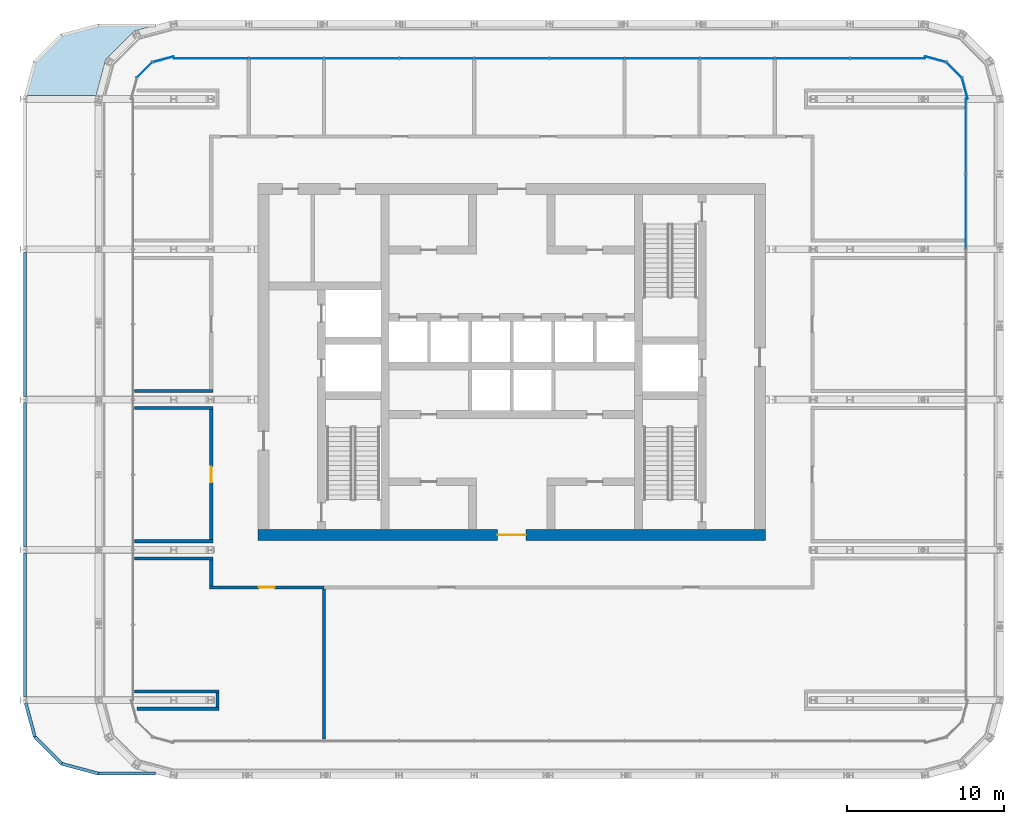
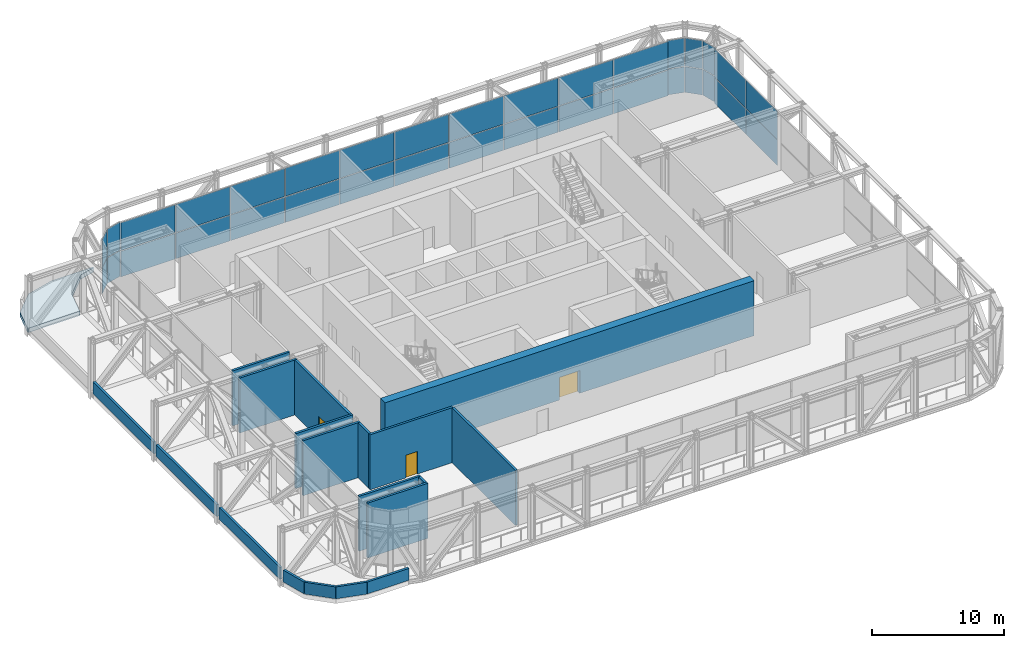
# One storey, part 19 of 30: 34 plates, 19 walls, 3 doors, 1 slab, 3 openings, 4 elements without a shape of their own.
"""IFC4 building model written with IfcOpenShell, lengths in metres."""

from ifc_helpers import new_model, si_unit, direction, frame, frame_2d, origin, origin_2d, place, context, subcontext, project, spatial, polyline, rectangle, outline, extrude, material, layer, layer_set, type_object, element, fill, aggregate, save


model = new_model("IFC4")

# Units and contexts
model_context = context("Model", 3, precision=1e-05, world=origin(), true_north=direction((0.0, 1.0)))
body_context = subcontext(model_context, "Body", "Model", "MODEL_VIEW")
ifc_project = project(units=[si_unit("LENGTHUNIT", "METRE"), si_unit("AREAUNIT", "SQUARE_METRE"), si_unit("VOLUMEUNIT", "CUBIC_METRE"), si_unit("PLANEANGLEUNIT", "RADIAN"), si_unit("MASSUNIT", "GRAM", prefix="KILO")], contexts=[model_context])

# Site, building, storey
site_placement = place(None, origin())
site = spatial("IfcSite", under=ifc_project, at=site_placement, CompositionType="ELEMENT")
building_placement = place(site_placement, origin())
building = spatial("IfcBuilding", under=site, at=building_placement, Name="Madar Terraces", CompositionType="ELEMENT")
storey_placement = place(building_placement, frame((0.0, 0.0, 173.5)))
storey = spatial("IfcBuildingStorey", under=building, at=storey_placement, Name="L45", CompositionType="ELEMENT", Elevation=173.5)

# Curtain wall, plates
ifc_material_1 = material(Name="Glass, ceramic frit dark grey, with black aluminium frame", Category="aluminium")
ifc_layer_1 = layer(ifc_material_1, 0.199951171875)
ifc_layer_set_1 = layer_set([ifc_layer_1], Name="Facade curtain wall, tall glazing")
curtain_wall_type = type_object("IfcCurtainWallType", Name="Facade curtain wall, tall glazing", PredefinedType="NOTDEFINED", material=ifc_layer_set_1)
curtain_wall_1_placement = place(storey_placement, origin())
curtain_wall_1 = element("IfcCurtainWall", 1, at=curtain_wall_1_placement, inside=storey, type_object=curtain_wall_type, Name="Outer skin curtain wall east bay 1", PredefinedType="NOTDEFINED")
ifc_material_2 = material(Name="Glass, ceramic frit dark grey", Category="glass")
ifc_layer_2 = layer(ifc_material_2, 0.028076171875)
ifc_layer_set_2 = layer_set([ifc_layer_2], Name="Facade glass panel 28")
plate_type = type_object("IfcPlateType", Name="Facade glass panel 28", PredefinedType="CURTAIN_PANEL", material=ifc_layer_set_2)
plate_1_placement = place(storey_placement, frame((60.199951171875, 36.0, 0.0), z_axis=(0.0, 0.0, 1.0), x_axis=(0.0, 1.0, 0.0)))
plate_1 = element("IfcPlate", 2, at=plate_1_placement, type_object=plate_type, Name="Panel 13", PredefinedType="CURTAIN_PANEL", context=body_context, shape_type="SweptSolid", body=[
    extrude(rectangle(XDim=4.739990234375, YDim=0.028076171875, at=origin_2d()), origin(), (0.0, 0.0, 1.0), 2.3701171875),
])
plate_2_placement = place(storey_placement, frame((60.199951171875, 36.0, 2.43017578125), z_axis=(0.0, 0.0, 1.0), x_axis=(0.0, 1.0, 0.0)))
plate_2 = element("IfcPlate", 3, at=plate_2_placement, type_object=plate_type, Name="Panel 14", PredefinedType="CURTAIN_PANEL", context=body_context, shape_type="SweptSolid", body=[
    extrude(rectangle(XDim=4.739990234375, YDim=0.028076171875, at=origin_2d()), origin(), (0.0, 0.0, 1.0), 2.610107421875),
])
plate_3_placement = place(storey_placement, frame((60.199951171875, 40.81494140625, 0.0), z_axis=(0.0, 0.0, 1.0), x_axis=(0.0, 1.0, 0.0)))
plate_3 = element("IfcPlate", 4, at=plate_3_placement, type_object=plate_type, Name="Panel 15", PredefinedType="CURTAIN_PANEL", context=body_context, shape_type="SweptSolid", body=[
    extrude(rectangle(XDim=4.77001953125, YDim=0.028076171875, at=origin_2d()), origin(), (0.0, 0.0, 1.0), 2.3701171875),
])
plate_4_placement = place(storey_placement, frame((60.199951171875, 40.81494140625, 2.43017578125), z_axis=(0.0, 0.0, 1.0), x_axis=(0.0, 1.0, 0.0)))
plate_4 = element("IfcPlate", 5, at=plate_4_placement, type_object=plate_type, Name="Panel 16", PredefinedType="CURTAIN_PANEL", context=body_context, shape_type="SweptSolid", body=[
    extrude(rectangle(XDim=4.77001953125, YDim=0.028076171875, at=origin_2d()), origin(), (0.0, 0.0, 1.0), 2.610107421875),
])
aggregate(curtain_wall_1, [plate_1, plate_2, plate_3, plate_4])

curtain_wall_2_placement = place(storey_placement, origin())
curtain_wall_2 = element("IfcCurtainWall", 6, at=curtain_wall_2_placement, inside=storey, type_object=curtain_wall_type, Name="Outer skin curtain wall north bay 1", PredefinedType="NOTDEFINED")
plate_5_placement = place(storey_placement, frame((55.215087890625, 45.800048828125, 0.0), z_axis=(0.0, 0.0, 1.0), x_axis=(-1.0, 0.0, 0.0)))
plate_5 = element("IfcPlate", 7, at=plate_5_placement, type_object=plate_type, Name="Panel 1", PredefinedType="CURTAIN_PANEL", context=body_context, shape_type="SweptSolid", body=[
    extrude(rectangle(XDim=4.77001953125, YDim=0.028076171875, at=origin_2d()), origin(), (0.0, 0.0, 1.0), 2.3701171875),
])
plate_6_placement = place(storey_placement, frame((55.215087890625, 45.800048828125, 2.43017578125), z_axis=(0.0, 0.0, 1.0), x_axis=(-1.0, 0.0, 0.0)))
plate_6 = element("IfcPlate", 8, at=plate_6_placement, type_object=plate_type, Name="Panel 2", PredefinedType="CURTAIN_PANEL", context=body_context, shape_type="SweptSolid", body=[
    extrude(rectangle(XDim=4.77001953125, YDim=0.028076171875, at=origin_2d()), origin(), (0.0, 0.0, 1.0), 2.610107421875),
])
plate_7_placement = place(storey_placement, frame((50.39990234375, 45.800048828125, 0.0), z_axis=(0.0, 0.0, 1.0), x_axis=(-1.0, 0.0, 0.0)))
plate_7 = element("IfcPlate", 9, at=plate_7_placement, type_object=plate_type, Name="Panel 3", PredefinedType="CURTAIN_PANEL", context=body_context, shape_type="SweptSolid", body=[
    extrude(rectangle(XDim=4.739990234375, YDim=0.028076171875, at=origin_2d()), origin(), (0.0, 0.0, 1.0), 2.3701171875),
])
plate_8_placement = place(storey_placement, frame((50.39990234375, 45.800048828125, 2.43017578125), z_axis=(0.0, 0.0, 1.0), x_axis=(-1.0, 0.0, 0.0)))
plate_8 = element("IfcPlate", 10, at=plate_8_placement, type_object=plate_type, Name="Panel 4", PredefinedType="CURTAIN_PANEL", context=body_context, shape_type="SweptSolid", body=[
    extrude(rectangle(XDim=4.739990234375, YDim=0.028076171875, at=origin_2d()), origin(), (0.0, 0.0, 1.0), 2.610107421875),
])
plate_9_placement = place(storey_placement, frame((45.60009765625, 45.800048828125, 0.0), z_axis=(0.0, 0.0, 1.0), x_axis=(-1.0, 0.0, 0.0)))
plate_9 = element("IfcPlate", 11, at=plate_9_placement, type_object=plate_type, Name="Panel 5", PredefinedType="CURTAIN_PANEL", context=body_context, shape_type="SweptSolid", body=[
    extrude(rectangle(XDim=4.739990234375, YDim=0.028076171875, at=origin_2d()), origin(), (0.0, 0.0, 1.0), 2.3701171875),
])
plate_10_placement = place(storey_placement, frame((45.60009765625, 45.800048828125, 2.43017578125), z_axis=(0.0, 0.0, 1.0), x_axis=(-1.0, 0.0, 0.0)))
plate_10 = element("IfcPlate", 12, at=plate_10_placement, type_object=plate_type, Name="Panel 6", PredefinedType="CURTAIN_PANEL", context=body_context, shape_type="SweptSolid", body=[
    extrude(rectangle(XDim=4.739990234375, YDim=0.028076171875, at=origin_2d()), origin(), (0.0, 0.0, 1.0), 2.610107421875),
])
plate_11_placement = place(storey_placement, frame((40.800048828125, 45.800048828125, 0.0), z_axis=(0.0, 0.0, 1.0), x_axis=(-1.0, 0.0, 0.0)))
plate_11 = element("IfcPlate", 13, at=plate_11_placement, type_object=plate_type, Name="Panel 7", PredefinedType="CURTAIN_PANEL", context=body_context, shape_type="SweptSolid", body=[
    extrude(rectangle(XDim=4.739990234375, YDim=0.028076171875, at=origin_2d()), origin(), (0.0, 0.0, 1.0), 2.3701171875),
])
plate_12_placement = place(storey_placement, frame((40.800048828125, 45.800048828125, 2.43017578125), z_axis=(0.0, 0.0, 1.0), x_axis=(-1.0, 0.0, 0.0)))
plate_12 = element("IfcPlate", 14, at=plate_12_placement, type_object=plate_type, Name="Panel 8", PredefinedType="CURTAIN_PANEL", context=body_context, shape_type="SweptSolid", body=[
    extrude(rectangle(XDim=4.739990234375, YDim=0.028076171875, at=origin_2d()), origin(), (0.0, 0.0, 1.0), 2.610107421875),
])
plate_13_placement = place(storey_placement, frame((36.0, 45.800048828125, 0.0), z_axis=(0.0, 0.0, 1.0), x_axis=(-1.0, 0.0, 0.0)))
plate_13 = element("IfcPlate", 15, at=plate_13_placement, type_object=plate_type, Name="Panel 9", PredefinedType="CURTAIN_PANEL", context=body_context, shape_type="SweptSolid", body=[
    extrude(rectangle(XDim=4.739990234375, YDim=0.028076171875, at=origin_2d()), origin(), (0.0, 0.0, 1.0), 2.3701171875),
])
plate_14_placement = place(storey_placement, frame((36.0, 45.800048828125, 2.43017578125), z_axis=(0.0, 0.0, 1.0), x_axis=(-1.0, 0.0, 0.0)))
plate_14 = element("IfcPlate", 16, at=plate_14_placement, type_object=plate_type, Name="Panel 10", PredefinedType="CURTAIN_PANEL", context=body_context, shape_type="SweptSolid", body=[
    extrude(rectangle(XDim=4.739990234375, YDim=0.028076171875, at=origin_2d()), origin(), (0.0, 0.0, 1.0), 2.610107421875),
])
plate_15_placement = place(storey_placement, frame((31.199951171875, 45.800048828125, 0.0), z_axis=(0.0, 0.0, 1.0), x_axis=(-1.0, 0.0, 0.0)))
plate_15 = element("IfcPlate", 17, at=plate_15_placement, type_object=plate_type, Name="Panel 11", PredefinedType="CURTAIN_PANEL", context=body_context, shape_type="SweptSolid", body=[
    extrude(rectangle(XDim=4.739990234375, YDim=0.028076171875, at=origin_2d()), origin(), (0.0, 0.0, 1.0), 2.3701171875),
])
plate_16_placement = place(storey_placement, frame((31.199951171875, 45.800048828125, 2.43017578125), z_axis=(0.0, 0.0, 1.0), x_axis=(-1.0, 0.0, 0.0)))
plate_16 = element("IfcPlate", 18, at=plate_16_placement, type_object=plate_type, Name="Panel 12", PredefinedType="CURTAIN_PANEL", context=body_context, shape_type="SweptSolid", body=[
    extrude(rectangle(XDim=4.739990234375, YDim=0.028076171875, at=origin_2d()), origin(), (0.0, 0.0, 1.0), 2.610107421875),
])
plate_17_placement = place(storey_placement, frame((26.39990234375, 45.800048828125, 0.0), z_axis=(0.0, 0.0, 1.0), x_axis=(-1.0, 0.0, 0.0)))
plate_17 = element("IfcPlate", 19, at=plate_17_placement, type_object=plate_type, Name="Panel 13", PredefinedType="CURTAIN_PANEL", context=body_context, shape_type="SweptSolid", body=[
    extrude(rectangle(XDim=4.739990234375, YDim=0.028076171875, at=origin_2d()), origin(), (0.0, 0.0, 1.0), 2.3701171875),
])
plate_18_placement = place(storey_placement, frame((26.39990234375, 45.800048828125, 2.43017578125), z_axis=(0.0, 0.0, 1.0), x_axis=(-1.0, 0.0, 0.0)))
plate_18 = element("IfcPlate", 20, at=plate_18_placement, type_object=plate_type, Name="Panel 14", PredefinedType="CURTAIN_PANEL", context=body_context, shape_type="SweptSolid", body=[
    extrude(rectangle(XDim=4.739990234375, YDim=0.028076171875, at=origin_2d()), origin(), (0.0, 0.0, 1.0), 2.610107421875),
])
plate_19_placement = place(storey_placement, frame((21.60009765625, 45.800048828125, 0.0), z_axis=(0.0, 0.0, 1.0), x_axis=(-1.0, 0.0, 0.0)))
plate_19 = element("IfcPlate", 21, at=plate_19_placement, type_object=plate_type, Name="Panel 15", PredefinedType="CURTAIN_PANEL", context=body_context, shape_type="SweptSolid", body=[
    extrude(rectangle(XDim=4.739990234375, YDim=0.028076171875, at=origin_2d()), origin(), (0.0, 0.0, 1.0), 2.3701171875),
])
plate_20_placement = place(storey_placement, frame((21.60009765625, 45.800048828125, 2.43017578125), z_axis=(0.0, 0.0, 1.0), x_axis=(-1.0, 0.0, 0.0)))
plate_20 = element("IfcPlate", 22, at=plate_20_placement, type_object=plate_type, Name="Panel 16", PredefinedType="CURTAIN_PANEL", context=body_context, shape_type="SweptSolid", body=[
    extrude(rectangle(XDim=4.739990234375, YDim=0.028076171875, at=origin_2d()), origin(), (0.0, 0.0, 1.0), 2.610107421875),
])
plate_21_placement = place(storey_placement, frame((16.800048828125, 45.800048828125, 0.0), z_axis=(0.0, 0.0, 1.0), x_axis=(-1.0, 0.0, 0.0)))
plate_21 = element("IfcPlate", 23, at=plate_21_placement, type_object=plate_type, Name="Panel 17", PredefinedType="CURTAIN_PANEL", context=body_context, shape_type="SweptSolid", body=[
    extrude(rectangle(XDim=4.739990234375, YDim=0.028076171875, at=origin_2d()), origin(), (0.0, 0.0, 1.0), 2.3701171875),
])
plate_22_placement = place(storey_placement, frame((16.800048828125, 45.800048828125, 2.43017578125), z_axis=(0.0, 0.0, 1.0), x_axis=(-1.0, 0.0, 0.0)))
plate_22 = element("IfcPlate", 24, at=plate_22_placement, type_object=plate_type, Name="Panel 18", PredefinedType="CURTAIN_PANEL", context=body_context, shape_type="SweptSolid", body=[
    extrude(rectangle(XDim=4.739990234375, YDim=0.028076171875, at=origin_2d()), origin(), (0.0, 0.0, 1.0), 2.610107421875),
])
plate_23_placement = place(storey_placement, frame((11.985107421875, 45.800048828125, 0.0), z_axis=(0.0, 0.0, 1.0), x_axis=(-1.0, 0.0, 0.0)))
plate_23 = element("IfcPlate", 25, at=plate_23_placement, type_object=plate_type, Name="Panel 19", PredefinedType="CURTAIN_PANEL", context=body_context, shape_type="SweptSolid", body=[
    extrude(rectangle(XDim=4.77001953125, YDim=0.028076171875, at=origin_2d()), origin(), (0.0, 0.0, 1.0), 2.3701171875),
])
plate_24_placement = place(storey_placement, frame((11.985107421875, 45.800048828125, 2.43017578125), z_axis=(0.0, 0.0, 1.0), x_axis=(-1.0, 0.0, 0.0)))
plate_24 = element("IfcPlate", 26, at=plate_24_placement, type_object=plate_type, Name="Panel 20", PredefinedType="CURTAIN_PANEL", context=body_context, shape_type="SweptSolid", body=[
    extrude(rectangle(XDim=4.77001953125, YDim=0.028076171875, at=origin_2d()), origin(), (0.0, 0.0, 1.0), 2.610107421875),
])
aggregate(curtain_wall_2, [plate_5, plate_6, plate_7, plate_8, plate_9, plate_10, plate_11, plate_12, plate_13, plate_14, plate_15, plate_16, plate_17, plate_18, plate_19, plate_20, plate_21, plate_22, plate_23, plate_24])

curtain_wall_3_placement = place(storey_placement, origin())
curtain_wall_3 = element("IfcCurtainWall", 27, at=curtain_wall_3_placement, inside=storey, type_object=curtain_wall_type, Name="Outer skin curtain wall north-east corner", PredefinedType="NOTDEFINED")
plate_25_placement = place(storey_placement, frame((60.1416015625, 43.865478515625, 0.0), z_axis=(0.0, 0.0, 1.0), x_axis=(-0.258819110244, 0.965925808834, 0.0)))
plate_25 = element("IfcPlate", 28, at=plate_25_placement, type_object=plate_type, Name="Panel 1", PredefinedType="CURTAIN_PANEL", context=body_context, shape_type="SweptSolid", body=[
    extrude(rectangle(XDim=1.3779296875, YDim=0.028076171875, at=origin_2d()), origin(), (0.0, 0.0, 1.0), 2.3701171875),
])
plate_26_placement = place(storey_placement, frame((60.1416015625, 43.865478515625, 2.43017578125), z_axis=(0.0, 0.0, 1.0), x_axis=(-0.258819110244, 0.965925808834, 0.0)))
plate_26 = element("IfcPlate", 29, at=plate_26_placement, type_object=plate_type, Name="Panel 2", PredefinedType="CURTAIN_PANEL", context=body_context, shape_type="SweptSolid", body=[
    extrude(rectangle(XDim=1.3779296875, YDim=0.028076171875, at=origin_2d()), origin(), (0.0, 0.0, 1.0), 2.610107421875),
])
plate_27_placement = place(storey_placement, frame((59.457763671875, 45.057861328125, 0.0), z_axis=(0.0, 0.0, 1.0), x_axis=(-0.707106781187, 0.707106781187, 0.0)))
plate_27 = element("IfcPlate", 30, at=plate_27_placement, type_object=plate_type, Name="Panel 3", PredefinedType="CURTAIN_PANEL", context=body_context, shape_type="SweptSolid", body=[
    extrude(rectangle(XDim=1.347900390625, YDim=0.028076171875, at=origin_2d()), origin(), (0.0, 0.0, 1.0), 2.3701171875),
])
plate_28_placement = place(storey_placement, frame((59.457763671875, 45.057861328125, 2.43017578125), z_axis=(0.0, 0.0, 1.0), x_axis=(-0.707106781187, 0.707106781187, 0.0)))
plate_28 = element("IfcPlate", 31, at=plate_28_placement, type_object=plate_type, Name="Panel 4", PredefinedType="CURTAIN_PANEL", context=body_context, shape_type="SweptSolid", body=[
    extrude(rectangle(XDim=1.347900390625, YDim=0.028076171875, at=origin_2d()), origin(), (0.0, 0.0, 1.0), 2.610107421875),
])
plate_29_placement = place(storey_placement, frame((58.265625, 45.74169921875, 0.0), z_axis=(0.0, 0.0, 1.0), x_axis=(-0.965925808834, 0.258819110244, 0.0)))
plate_29 = element("IfcPlate", 32, at=plate_29_placement, type_object=plate_type, Name="Panel 5", PredefinedType="CURTAIN_PANEL", context=body_context, shape_type="SweptSolid", body=[
    extrude(rectangle(XDim=1.3779296875, YDim=0.028076171875, at=origin_2d()), origin(), (0.0, 0.0, 1.0), 2.3701171875),
])
plate_30_placement = place(storey_placement, frame((58.265625, 45.74169921875, 2.43017578125), z_axis=(0.0, 0.0, 1.0), x_axis=(-0.965925808834, 0.258819110244, 0.0)))
plate_30 = element("IfcPlate", 33, at=plate_30_placement, type_object=plate_type, Name="Panel 6", PredefinedType="CURTAIN_PANEL", context=body_context, shape_type="SweptSolid", body=[
    extrude(rectangle(XDim=1.3779296875, YDim=0.028076171875, at=origin_2d()), origin(), (0.0, 0.0, 1.0), 2.610107421875),
])
aggregate(curtain_wall_3, [plate_25, plate_26, plate_27, plate_28, plate_29, plate_30])

curtain_wall_4_placement = place(storey_placement, origin())
curtain_wall_4 = element("IfcCurtainWall", 34, at=curtain_wall_4_placement, inside=storey, type_object=curtain_wall_type, Name="Outer skin curtain wall north-west corner", PredefinedType="NOTDEFINED")
plate_31_placement = place(storey_placement, frame((8.9345703125, 45.74169921875, 0.0), z_axis=(0.0, 0.0, 1.0), x_axis=(-0.965925808834, -0.258819110244, 0.0)))
plate_31 = element("IfcPlate", 35, at=plate_31_placement, type_object=plate_type, Name="Panel 1", PredefinedType="CURTAIN_PANEL", context=body_context, shape_type="SweptSolid", body=[
    extrude(rectangle(XDim=1.3779296875, YDim=0.028076171875, at=origin_2d()), origin(), (0.0, 0.0, 1.0), 2.3701171875),
])
plate_32_placement = place(storey_placement, frame((8.9345703125, 45.74169921875, 2.43017578125), z_axis=(0.0, 0.0, 1.0), x_axis=(-0.965925808834, -0.258819110244, 0.0)))
plate_32 = element("IfcPlate", 36, at=plate_32_placement, type_object=plate_type, Name="Panel 2", PredefinedType="CURTAIN_PANEL", context=body_context, shape_type="SweptSolid", body=[
    extrude(rectangle(XDim=1.3779296875, YDim=0.028076171875, at=origin_2d()), origin(), (0.0, 0.0, 1.0), 2.610107421875),
])
plate_33_placement = place(storey_placement, frame((7.7421875, 45.057861328125, 0.0), z_axis=(0.0, 0.0, 1.0), x_axis=(-0.707106781187, -0.707106781187, 0.0)))
plate_33 = element("IfcPlate", 37, at=plate_33_placement, type_object=plate_type, Name="Panel 3", PredefinedType="CURTAIN_PANEL", context=body_context, shape_type="SweptSolid", body=[
    extrude(rectangle(XDim=1.347900390625, YDim=0.028076171875, at=origin_2d()), origin(), (0.0, 0.0, 1.0), 2.3701171875),
])
plate_34_placement = place(storey_placement, frame((7.7421875, 45.057861328125, 2.43017578125), z_axis=(0.0, 0.0, 1.0), x_axis=(-0.707106781187, -0.707106781187, 0.0)))
plate_34 = element("IfcPlate", 38, at=plate_34_placement, type_object=plate_type, Name="Panel 4", PredefinedType="CURTAIN_PANEL", context=body_context, shape_type="SweptSolid", body=[
    extrude(rectangle(XDim=1.347900390625, YDim=0.028076171875, at=origin_2d()), origin(), (0.0, 0.0, 1.0), 2.610107421875),
])
aggregate(curtain_wall_4, [plate_31, plate_32, plate_33, plate_34])

# Slab
ifc_material_3 = material(Name="Concrete C50/60", Category="concrete")
ifc_layer_3 = layer(ifc_material_3, 0.39990234375)
ifc_layer_set_3 = layer_set([ifc_layer_3], Name="TS1 PT terrace slab 400")
slab_type = type_object("IfcSlabType", Name="TS1 PT terrace slab 400", PredefinedType="FLOOR", material=ifc_layer_set_3)
slab_placement = place(storey_placement, frame((0.0, 0.0, -0.39990234375)))
element("IfcSlab", 39, at=slab_placement, inside=storey, type_object=slab_type, Name="Terrace roof slab L45 (6)", PredefinedType="FLOOR", context=body_context, shape_type="SweptSolid", body=[
    extrude(outline(polyline([(0.643310546875, 45.596923828125), (0.64111328125, 45.592041015625), (0.6396484375, 45.587158203125), (0.0732421875, 43.473876953125), (0.072265625, 43.468994140625), (0.07177734375, 43.46435546875), (0.07177734375, 43.45947265625), (0.072021484375, 43.45458984375), (0.07275390625, 43.449951171875), (0.07421875, 43.4453125), (0.075927734375, 43.440673828125), (0.078125, 43.4365234375), (0.08056640625, 43.432373046875), (0.08349609375, 43.428466796875), (0.086669921875, 43.425048828125), (0.09033203125, 43.421875), (0.09423828125, 43.4189453125), (0.098388671875, 43.41650390625), (0.102783203125, 43.41455078125), (0.107421875, 43.412841796875), (0.112060546875, 43.411865234375), (0.116943359375, 43.4111328125), (0.12158203125, 43.410888671875), (4.599853515625, 43.410888671875), (4.60498046875, 43.4111328125), (4.60986328125, 43.411865234375), (4.61474609375, 43.4130859375), (4.619384765625, 43.414794921875), (4.6240234375, 43.4169921875), (4.628173828125, 43.419677734375), (4.63232421875, 43.4228515625), (4.635986328125, 43.42626953125), (4.63916015625, 43.429931640625), (4.64208984375, 43.43408203125), (4.64453125, 43.4384765625), (4.646728515625, 43.443115234375), (4.648193359375, 43.447998046875), (5.253662109375, 45.707763671875), (5.254150390625, 45.708984375), (5.2548828125, 45.7099609375), (7.08984375, 47.544921875), (7.0908203125, 47.5458984375), (7.092041015625, 47.54638671875), (8.418701171875, 47.901611328125), (8.42333984375, 47.9033203125), (8.427978515625, 47.9052734375), (8.43212890625, 47.90771484375), (8.436279296875, 47.910400390625), (8.43994140625, 47.913818359375), (8.443359375, 47.917236328125), (8.446533203125, 47.921142578125), (8.44921875, 47.92529296875), (8.451416015625, 47.929931640625), (8.453125, 47.9345703125), (8.45458984375, 47.939208984375), (8.455322265625, 47.944091796875), (8.45556640625, 47.94921875), (8.45556640625, 47.9541015625), (8.454833984375, 47.958984375), (8.45361328125, 47.9638671875), (8.4521484375, 47.968505859375), (8.449951171875, 47.972900390625), (8.447509765625, 47.977294921875), (8.444580078125, 47.9814453125), (8.44140625, 47.985107421875), (8.437744140625, 47.98828125), (8.433837890625, 47.991455078125), (8.429443359375, 47.993896484375), (8.425048828125, 47.99609375), (8.42041015625, 47.997802734375), (8.41552734375, 47.9990234375), (8.41064453125, 47.999755859375), (8.40576171875, 48.0), (4.806640625, 48.0), (4.80224609375, 47.999755859375), (4.7978515625, 47.999267578125), (4.793701171875, 47.998291015625), (2.412841796875, 47.3603515625), (2.407958984375, 47.35888671875), (2.403076171875, 47.356689453125), (2.398681640625, 47.35400390625), (2.39453125, 47.350830078125), (2.390625, 47.347412109375), (0.652587890625, 45.609375), (0.649169921875, 45.60546875), (0.64599609375, 45.601318359375), (0.643310546875, 45.596923828125)])), origin(), (0.0, 0.0, 1.0), 0.39990234375),
])

# Wall, opening, door
ifc_material_4 = material(Name="Concrete C60/75", Category="concrete")
ifc_layer_4 = layer(ifc_material_4, 0.699951171875)
ifc_layer_set_4 = layer_set([ifc_layer_4], Name="Concrete C60/75 (CRW4 RC wall 700)")
wall_type_1 = type_object("IfcWallType", Name="CRW4 RC wall 700", PredefinedType="SHEAR", material=ifc_layer_set_4)
wall_1_placement = place(storey_placement, frame((15.0, 15.35009765625, 0.0), z_axis=(0.0, 0.0, 1.0), x_axis=(1.0, 0.0, 0.0)))
wall_1 = element("IfcWall", 40, at=wall_1_placement, inside=storey, type_object=wall_type_1, Name="CORE OUTER WALL", PredefinedType="SHEAR", context=body_context, shape_type="SweptSolid", body=[
    extrude(rectangle(XDim=32.39990234375, YDim=0.699951171875, at=frame_2d((16.199951171875, 0.0))), origin(), (0.0, 0.0, 1.0), 5.10009765625),
])
opening_1_placement = place(wall_1_placement, frame((15.300048828125, 0.0, 0.0)))
opening_1 = element("IfcOpeningElement", 41, at=opening_1_placement, cuts=wall_1, Name="Opening KD1", PredefinedType="OPENING", context=body_context, shape_type="SweptSolid", body=[
    extrude(rectangle(XDim=1.800048828125, YDim=2.10009765625, at=frame_2d((0.89990234375, 1.050048828125))), frame((0.0, 0.35986328125, 0.0), z_axis=(0.0, -1.0, 0.0), x_axis=(1.0, 0.0, 0.0)), (0.0, 0.0, 1.0), 0.719970703125),
])
ifc_material_5 = material(Name="Steel door leaf", Category="steel")
door_type_1 = type_object("IfcDoorType", Name="Lobby door pair 1800 x 2100", OperationType="DOUBLE_DOOR_SINGLE_SWING", PredefinedType="DOOR", material=ifc_material_5)
door_1_placement = place(opening_1_placement, frame((1.800048828125, 0.0, 0.0), z_axis=(0.0, 0.0, 1.0), x_axis=(-1.0, 0.0, 0.0)))
door_1 = element("IfcDoor", 42, at=door_1_placement, inside=storey, type_object=door_type_1, Name="LIFT LOBBY DOOR", OperationType="DOUBLE_DOOR_SINGLE_SWING", OverallHeight=2.10009765625, OverallWidth=1.800048828125, PredefinedType="DOOR", context=body_context, shape_type="SweptSolid", body=[
    extrude(rectangle(XDim=1.800048828125, YDim=2.10009765625, at=frame_2d((0.89990234375, 1.050048828125))), frame((0.0, 0.02490234375, 0.0), z_axis=(0.0, -1.0, 0.0), x_axis=(1.0, 0.0, 0.0)), (0.0, 0.0, 1.0), 0.050048828125),
])
fill(opening_1, door_1)

# Walls
ifc_material_6 = material(Name="Blockwork", Category="masonry")
ifc_layer_5 = layer(ifc_material_6, 0.199951171875)
ifc_layer_set_5 = layer_set([ifc_layer_5], Name="Partition 200 EI 120")
wall_type_2 = type_object("IfcWallType", Name="Partition 200 EI 120", PredefinedType="PARTITIONING", material=ifc_layer_set_5)
wall_2_placement = place(storey_placement, frame((7.25, 4.25, 0.0), z_axis=(0.0, 0.0, 1.0), x_axis=(1.0, 0.0, 0.0)))
element("IfcWall", 43, at=wall_2_placement, inside=storey, type_object=wall_type_2, Name="Wall ELECTRICAL SWITCH ROOM / TRUSS SLOT", PredefinedType="PARTITIONING", context=body_context, shape_type="SweptSolid", body=[
    extrude(rectangle(XDim=5.25, YDim=0.199951171875, at=frame_2d((2.625, 0.0))), origin(), (0.0, 0.0, 1.0), 5.10009765625),
])
wall_3_placement = place(storey_placement, frame((7.10009765625, 5.35009765625, 0.0), z_axis=(0.0, 0.0, 1.0), x_axis=(1.0, 0.0, 0.0)))
element("IfcWall", 44, at=wall_3_placement, inside=storey, type_object=wall_type_2, Name="Wall ELECTRICAL SWITCH ROOM / TRUSS SLOT", PredefinedType="PARTITIONING", context=body_context, shape_type="SweptSolid", body=[
    extrude(rectangle(XDim=5.39990234375, YDim=0.199951171875, at=frame_2d((2.699951171875, 0.0))), origin(), (0.0, 0.0, 1.0), 5.10009765625),
])

# Wall, opening, door
wall_4_placement = place(storey_placement, frame((19.199951171875, 12.0, 0.0), z_axis=(0.0, 0.0, 1.0), x_axis=(-1.0, 0.0, 0.0)))
wall_4 = element("IfcWall", 45, at=wall_4_placement, inside=storey, type_object=wall_type_2, Name="Wall ELECTRICAL SWITCH ROOM / RING CORRIDOR", PredefinedType="PARTITIONING", context=body_context, shape_type="SweptSolid", body=[
    extrude(rectangle(XDim=7.300048828125, YDim=0.199951171875, at=frame_2d((3.64990234375, 0.0))), origin(), (0.0, 0.0, 1.0), 5.10009765625),
])
opening_2_placement = place(wall_4_placement, frame((3.14990234375, 0.0, 0.0)))
opening_2 = element("IfcOpeningElement", 46, at=opening_2_placement, cuts=wall_4, Name="Opening D33", PredefinedType="OPENING", context=body_context, shape_type="SweptSolid", body=[
    extrude(rectangle(XDim=1.0, YDim=2.10009765625, at=frame_2d((0.5, 1.050048828125))), frame((0.0, 0.10986328125, 0.0), z_axis=(0.0, -1.0, 0.0), x_axis=(1.0, 0.0, 0.0)), (0.0, 0.0, 1.0), 0.219970703125),
])
ifc_material_7 = material(Name="Timber door leaf, fire-rated", Category="wood")
door_type_2 = type_object("IfcDoorType", Name="Podium door 1000 x 2100 FD90S", OperationType="NOTDEFINED", PredefinedType="DOOR", material=ifc_material_7)
door_2_placement = place(opening_2_placement, origin())
door_2 = element("IfcDoor", 47, at=door_2_placement, inside=storey, type_object=door_type_2, Name="Door ELECTRICAL SWITCH ROOM / RING CORRIDOR", OperationType="SINGLE_SWING_RIGHT", OverallHeight=2.10009765625, OverallWidth=1.0, PredefinedType="DOOR", context=body_context, shape_type="SweptSolid", body=[
    extrude(rectangle(XDim=1.0, YDim=2.10009765625, at=frame_2d((0.5, 1.050048828125))), frame((0.0, 0.02490234375, 0.0), z_axis=(0.0, -1.0, 0.0), x_axis=(1.0, 0.0, 0.0)), (0.0, 0.0, 1.0), 0.050048828125),
])
fill(opening_2, door_2)

# Walls
for number, where, z_axis, x_axis, name in (
    (48, (7.10009765625, 13.85009765625, 0.0), (0.0, 0.0, 1.0), (1.0, 0.0, 0.0), "Wall ELECTRICAL SWITCH ROOM / TRUSS SLOT"),
    (49, (7.10009765625, 14.949951171875, 0.0), (0.0, 0.0, 1.0), (1.0, 0.0, 0.0), "Wall SPRINKLER TANK ROOM / TRUSS SLOT"),
    (50, (7.10009765625, 23.449951171875, 0.0), (0.0, 0.0, 1.0), (1.0, 0.0, 0.0), "Wall SPRINKLER TANK ROOM / TRUSS SLOT"),
    (51, (7.10009765625, 24.550048828125, 0.0), (0.0, 0.0, 1.0), (1.0, 0.0, 0.0), "Wall CHILLER PLANT ROOM / TRUSS SLOT"),
):
    element("IfcWall", number, at=place(storey_placement, frame(where, z_axis=z_axis, x_axis=x_axis)), inside=storey, type_object=wall_type_2, Name=name, PredefinedType="PARTITIONING", context=body_context, shape_type="SweptSolid", body=[
        extrude(rectangle(XDim=5.0, YDim=0.199951171875, at=frame_2d((2.5, 0.0))), origin(), (0.0, 0.0, 1.0), 5.10009765625),
    ])
wall_5_placement = place(storey_placement, frame((12.0, 12.10009765625, 0.0), z_axis=(0.0, 0.0, 1.0), x_axis=(0.0, 1.0, 0.0)))
element("IfcWall", 52, at=wall_5_placement, inside=storey, type_object=wall_type_2, Name="Wall ELECTRICAL SWITCH ROOM / RING CORRIDOR", PredefinedType="PARTITIONING", context=body_context, shape_type="SweptSolid", body=[
    extrude(rectangle(XDim=1.64990234375, YDim=0.199951171875, at=frame_2d((0.824951171875, 0.0))), origin(), (0.0, 0.0, 1.0), 5.10009765625),
])

# Wall, opening, door
wall_6_placement = place(storey_placement, frame((12.0, 15.050048828125, 0.0), z_axis=(0.0, 0.0, 1.0), x_axis=(0.0, 1.0, 0.0)))
wall_6 = element("IfcWall", 53, at=wall_6_placement, inside=storey, type_object=wall_type_2, Name="Wall SPRINKLER TANK ROOM / RING CORRIDOR", PredefinedType="PARTITIONING", context=body_context, shape_type="SweptSolid", body=[
    extrude(rectangle(XDim=8.300048828125, YDim=0.199951171875, at=frame_2d((4.14990234375, 0.0))), origin(), (0.0, 0.0, 1.0), 5.10009765625),
])
opening_3_placement = place(wall_6_placement, frame((3.64990234375, 0.0, 0.0)))
opening_3 = element("IfcOpeningElement", 54, at=opening_3_placement, cuts=wall_6, Name="Opening D33", PredefinedType="OPENING", context=body_context, shape_type="SweptSolid", body=[
    extrude(rectangle(XDim=1.0, YDim=2.10009765625, at=frame_2d((0.5, 1.050048828125))), frame((0.0, 0.10986328125, 0.0), z_axis=(0.0, -1.0, 0.0), x_axis=(1.0, 0.0, 0.0)), (0.0, 0.0, 1.0), 0.219970703125),
])
door_3_placement = place(opening_3_placement, origin())
door_3 = element("IfcDoor", 55, at=door_3_placement, inside=storey, type_object=door_type_2, Name="Door SPRINKLER TANK ROOM / RING CORRIDOR", OperationType="SINGLE_SWING_LEFT", OverallHeight=2.10009765625, OverallWidth=1.0, PredefinedType="DOOR", context=body_context, shape_type="SweptSolid", body=[
    extrude(rectangle(XDim=1.0, YDim=2.10009765625, at=frame_2d((0.5, 1.050048828125))), frame((0.0, 0.02490234375, 0.0), z_axis=(0.0, -1.0, 0.0), x_axis=(1.0, 0.0, 0.0)), (0.0, 0.0, 1.0), 0.050048828125),
])
fill(opening_3, door_3)

# Walls
wall_7_placement = place(storey_placement, frame((12.39990234375, 4.35009765625, 0.0), z_axis=(0.0, 0.0, 1.0), x_axis=(0.0, 1.0, 0.0)))
element("IfcWall", 56, at=wall_7_placement, inside=storey, type_object=wall_type_2, Name="Wall ELECTRICAL SWITCH ROOM / TRUSS SLOT", PredefinedType="PARTITIONING", context=body_context, shape_type="SweptSolid", body=[
    extrude(rectangle(XDim=0.89990234375, YDim=0.199951171875, at=frame_2d((0.449951171875, 0.0))), origin(), (0.0, 0.0, 1.0), 5.10009765625),
])
wall_8_placement = place(storey_placement, frame((19.199951171875, 2.300048828125, 0.0), z_axis=(0.0, 0.0, 1.0), x_axis=(0.0, 1.0, 0.0)))
element("IfcWall", 57, at=wall_8_placement, inside=storey, type_object=wall_type_2, Name="Wall ELECTRICAL SWITCH ROOM / REFUGE AREA R3", PredefinedType="PARTITIONING", context=body_context, shape_type="SweptSolid", body=[
    extrude(rectangle(XDim=9.599853515625, YDim=0.199951171875, at=frame_2d((4.7998046875, 0.0))), origin(), (0.0, 0.0, 1.0), 5.10009765625),
])
ifc_material_8 = material(Name="Concrete C40/50", Category="concrete")
ifc_layer_6 = layer(ifc_material_8, 0.199951171875)
ifc_layer_set_6 = layer_set([ifc_layer_6], Name="Roof parapet 200")
wall_type_3 = type_object("IfcWallType", Name="Roof parapet 200", PredefinedType="PARAPET", material=ifc_layer_set_6)
wall_9_placement = place(storey_placement, frame((0.151123046875, 4.609130859375, 0.0400390625), z_axis=(0.0, 0.0, 1.0), x_axis=(0.258845268489, -0.965918799372, 0.0)))
element("IfcWall", 58, at=wall_9_placement, inside=storey, type_object=wall_type_3, Name="Roof parapet", PredefinedType="PARAPET", context=body_context, shape_type="SweptSolid", body=[
    extrude(rectangle(XDim=2.2353515625, YDim=0.199951171875, at=frame_2d((1.11767578125, 0.0))), origin(), (0.0, 0.0, 1.0), 1.099853515625),
])
for number, where, z_axis, x_axis, name in (
    (59, (0.729736328125, 2.449951171875, 0.0400390625), (0.0, 0.0, 1.0), (0.707106781187, -0.707106781187, 0.0), "Roof parapet"),
    (60, (2.449951171875, 0.729736328125, 0.0400390625), (0.0, 0.0, 1.0), (0.965932823238, -0.258792930722, 0.0), "Roof parapet"),
):
    element("IfcWall", number, at=place(storey_placement, frame(where, z_axis=z_axis, x_axis=x_axis)), inside=storey, type_object=wall_type_3, Name=name, PredefinedType="PARAPET", context=body_context, shape_type="SweptSolid", body=[
        extrude(rectangle(XDim=2.432861328125, YDim=0.199951171875, at=frame_2d((1.21630859375, 0.0))), origin(), (0.0, 0.0, 1.0), 1.099853515625),
    ])
wall_10_placement = place(storey_placement, frame((4.800048828125, 0.10009765625, 0.0400390625), z_axis=(0.0, 0.0, 1.0), x_axis=(1.0, 0.0, 0.0)))
element("IfcWall", 61, at=wall_10_placement, inside=storey, type_object=wall_type_3, Name="Roof parapet", PredefinedType="PARAPET", context=body_context, shape_type="SweptSolid", body=[
    extrude(rectangle(XDim=3.654541015625, YDim=0.199951171875, at=frame_2d((1.8271484375, 0.0))), origin(), (0.0, 0.0, 1.0), 1.099853515625),
])
wall_11_placement = place(storey_placement, frame((0.10009765625, 14.209228515625, 0.0400390625), z_axis=(0.0, 0.0, 1.0), x_axis=(0.0, -1.0, 0.0)))
element("IfcWall", 62, at=wall_11_placement, inside=storey, type_object=wall_type_3, Name="Roof parapet", PredefinedType="PARAPET", context=body_context, shape_type="SweptSolid", body=[
    extrude(rectangle(XDim=9.218505859375, YDim=0.199951171875, at=frame_2d((4.609375, 0.0))), origin(), (0.0, 0.0, 1.0), 1.099853515625),
])
for number, where, z_axis, x_axis, name in (
    (63, (0.10009765625, 23.80908203125, 0.0400390625), (0.0, 0.0, 1.0), (0.0, -1.0, 0.0), "Roof parapet"),
    (64, (0.10009765625, 33.4091796875, 0.0400390625), (0.0, 0.0, 1.0), (0.0, -1.0, 0.0), "Roof parapet"),
):
    element("IfcWall", number, at=place(storey_placement, frame(where, z_axis=z_axis, x_axis=x_axis)), inside=storey, type_object=wall_type_3, Name=name, PredefinedType="PARAPET", context=body_context, shape_type="SweptSolid", body=[
        extrude(rectangle(XDim=9.21826171875, YDim=0.199951171875, at=frame_2d((4.609130859375, 0.0))), origin(), (0.0, 0.0, 1.0), 1.099853515625),
    ])

save(model, "model.ifc")
